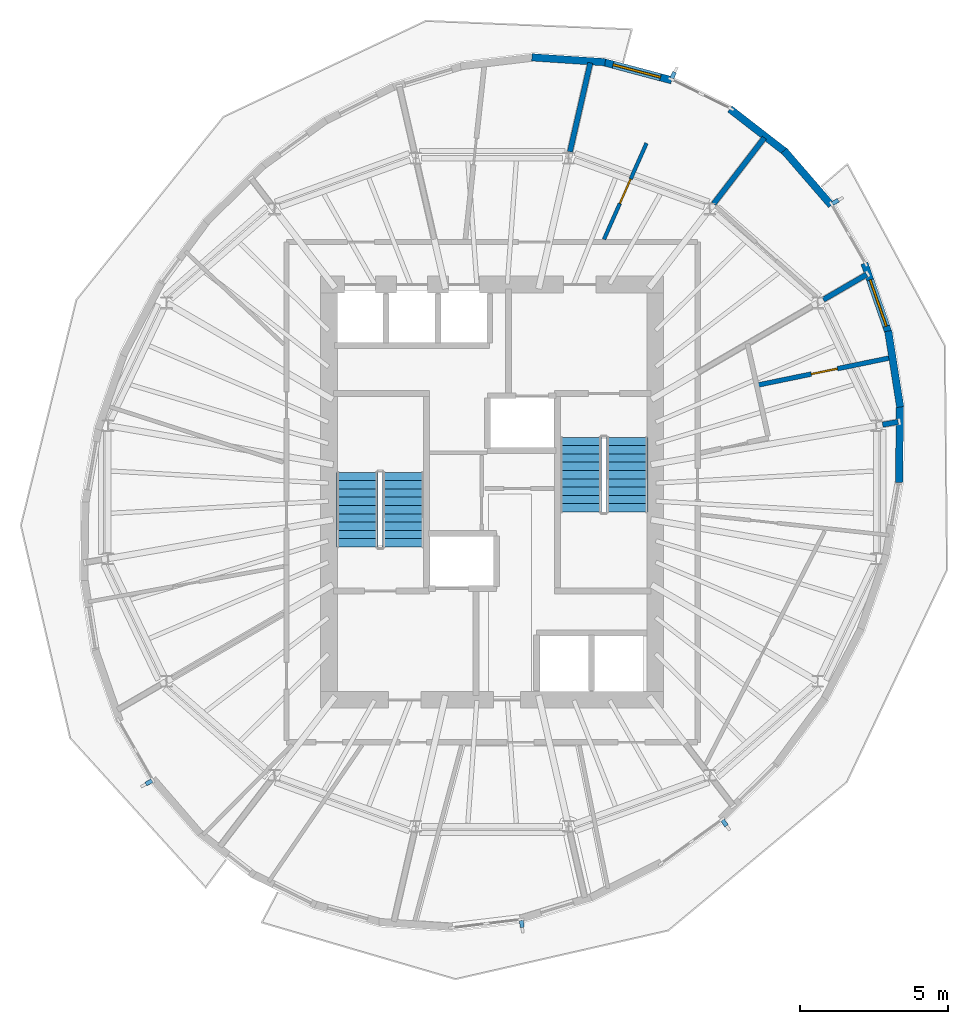
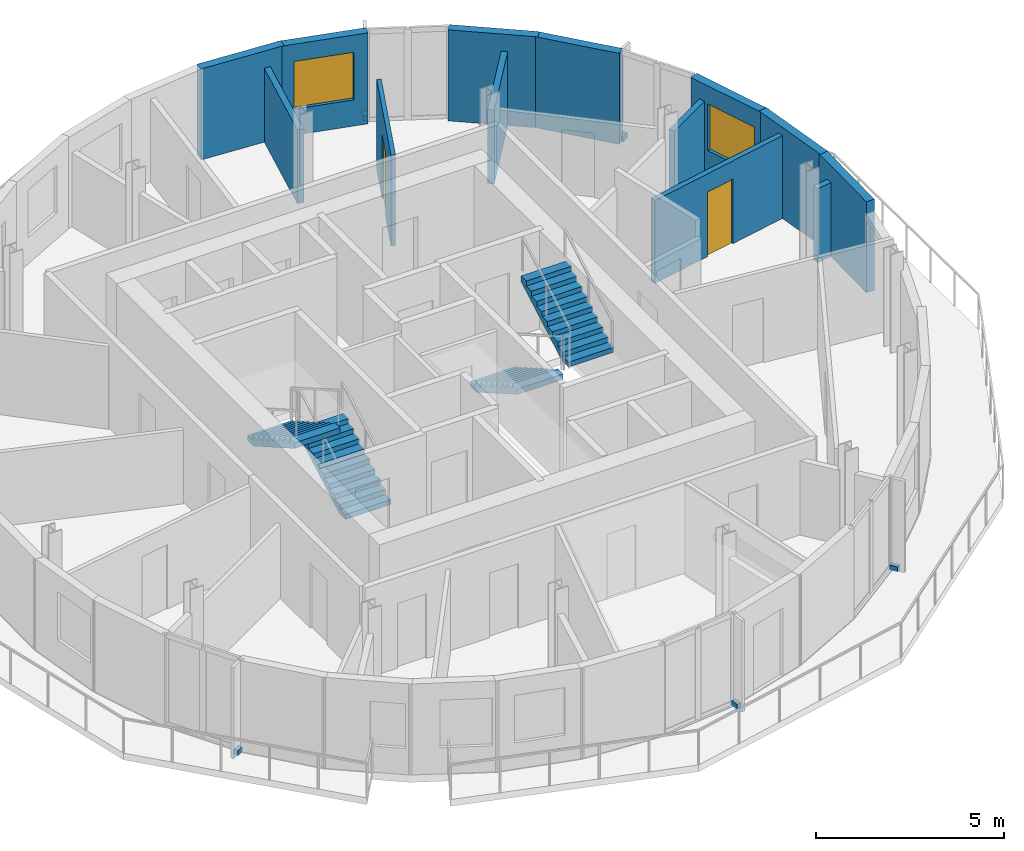
# One storey, part 7 of 9: 13 walls, 5 discrete accessories, 4 stair flights, 2 doors, 2 windows, 4 openings, 2 elements without a shape of their own.
"""IFC4 building model written with IfcOpenShell, lengths in metres."""

from ifc_helpers import new_model, si_unit, direction, frame, frame_2d, origin, origin_2d, place, context, subcontext, project, spatial, polyline, rectangle, outline, extrude, material, layer, layer_set, type_object, element, fill, aggregate, save


model = new_model("IFC4")

# Units and contexts
model_context = context("Model", 3, precision=1e-05, world=origin(), true_north=direction((0.0, 1.0)))
body_context = subcontext(model_context, "Body", "Model", "MODEL_VIEW")
ifc_project = project(units=[si_unit("LENGTHUNIT", "METRE"), si_unit("AREAUNIT", "SQUARE_METRE"), si_unit("VOLUMEUNIT", "CUBIC_METRE"), si_unit("PLANEANGLEUNIT", "RADIAN"), si_unit("MASSUNIT", "GRAM", prefix="KILO")], contexts=[model_context])

# Site, building, storey
site_placement = place(None, origin())
site = spatial("IfcSite", under=ifc_project, at=site_placement, CompositionType="ELEMENT")
building_placement = place(site_placement, origin())
building = spatial("IfcBuilding", under=site, at=building_placement, Name="Veldorim Arch Residences", CompositionType="ELEMENT")
storey_placement = place(building_placement, frame((0.0, 0.0, 233.43994140625)))
storey = spatial("IfcBuildingStorey", under=building, at=storey_placement, Name="L70", CompositionType="ELEMENT", Elevation=233.43994140625)

# Wall, opening, door
ifc_material_1 = material(Name="Acoustic Gypsum Board", Category="gypsum")
ifc_layer_1 = layer(ifc_material_1, 0.125, Name="Acoustic Stud Room Partition Wall 125")
ifc_layer_set_1 = layer_set([ifc_layer_1], Name="Acoustic Gypsum Board")
wall_type_1 = type_object("IfcWallType", Name="Acoustic Stud Room Partition Wall 125", PredefinedType="PARTITIONING", material=ifc_layer_set_1)
wall_1_placement = place(storey_placement, frame((37.2041015625, 35.761474609375, 0.0), z_axis=(0.0, 0.0, 1.0), x_axis=(-0.404629035619, -0.9144809148, 0.0)))
wall_1 = element("IfcWall", 1, at=wall_1_placement, inside=storey, type_object=wall_type_1, Name="L70 interior wall WL-RES-L70-019", PredefinedType="PARTITIONING", context=body_context, shape_type="SweptSolid", body=[
    extrude(rectangle(XDim=3.54296875, YDim=0.125, at=frame_2d((1.771484375, 0.0))), origin(), (0.0, 0.0, 1.0), 2.955078125),
])
opening_1_placement = place(wall_1_placement, frame((1.321533203125, 0.0, 0.0)))
opening_1 = element("IfcOpeningElement", 2, at=opening_1_placement, cuts=wall_1, Name="Opening DR-INT", PredefinedType="OPENING", context=body_context, shape_type="SweptSolid", body=[
    extrude(rectangle(XDim=0.89990234375, YDim=2.10009765625, at=frame_2d((0.449951171875, 1.050048828125))), frame((0.0, 0.072509765625, 0.0), z_axis=(0.0, -1.0, 0.0), x_axis=(1.0, 0.0, 0.0)), (0.0, 0.0, 1.0), 0.14501953125),
])
ifc_material_2 = material(Name="Engineered Timber", Category="wood")
door_type_1 = type_object("IfcDoorType", Name="Apartment Internal Room Timber Door 900x2100", OperationType="SINGLE_SWING_LEFT", PredefinedType="DOOR", material=ifc_material_2)
door_1_placement = place(opening_1_placement, origin())
door_1 = element("IfcDoor", 3, at=door_1_placement, inside=storey, type_object=door_type_1, Name="L70 interior door DR-RES-L70-013", OperationType="SINGLE_SWING_LEFT", OverallHeight=2.10009765625, OverallWidth=0.89990234375, PredefinedType="DOOR", context=body_context, shape_type="SweptSolid", body=[
    extrude(rectangle(XDim=0.89990234375, YDim=2.10009765625, at=frame_2d((0.449951171875, 1.050048828125))), frame((0.0, 0.02490234375, 0.0), z_axis=(0.0, -1.0, 0.0), x_axis=(1.0, 0.0, 0.0)), (0.0, 0.0, 1.0), 0.050048828125),
])
fill(opening_1, door_1)

# Walls
ifc_material_3 = material(Name="Lightweight Masonry Block & Gypsum", Category="masonry")
ifc_layer_2 = layer(ifc_material_3, 0.179931640625, Name="Compartment & Corridor Fire-Rated Party Wall 180")
ifc_layer_set_2 = layer_set([ifc_layer_2], Name="Lightweight Masonry Block & Gypsum")
wall_type_2 = type_object("IfcWallType", Name="Compartment & Corridor Fire-Rated Party Wall 180", PredefinedType="PARTITIONING", material=ifc_layer_set_2)
wall_2_placement = place(storey_placement, frame((45.16259765625, 26.277099609375, 0.0), z_axis=(0.0, 0.0, 1.0), x_axis=(0.985396448878, 0.170275772023, 0.0)))
element("IfcWall", 4, at=wall_2_placement, inside=storey, type_object=wall_type_2, Name="L70 interior wall WL-PIER-L70-01", PredefinedType="PARTITIONING", context=body_context, shape_type="SweptSolid", body=[
    extrude(rectangle(XDim=0.531982421875, YDim=0.179931640625, at=frame_2d((0.26611328125, 0.0))), origin(), (0.0, 0.0, 1.0), 2.403564453125),
])
wall_3_placement = place(storey_placement, frame((43.165283203125, 30.48828125, 0.0), z_axis=(0.0, 0.0, 1.0), x_axis=(0.864596354204, 0.502467057923, 0.0)))
element("IfcWall", 5, at=wall_3_placement, inside=storey, type_object=wall_type_2, Name="L70 interior wall WL-PIER-L70-02", PredefinedType="PARTITIONING", context=body_context, shape_type="SweptSolid", body=[
    extrude(rectangle(XDim=1.6875, YDim=0.179931640625, at=frame_2d((0.84375, 0.0))), origin(), (0.0, 0.0, 1.0), 2.403564453125),
])
wall_4_placement = place(storey_placement, frame((39.46728515625, 33.719482421875, 0.0), z_axis=(0.0, 0.0, 1.0), x_axis=(0.609243973043, 0.792982837967, 0.0)))
element("IfcWall", 6, at=wall_4_placement, inside=storey, type_object=wall_type_2, Name="L70 interior wall WL-PIER-L70-03", PredefinedType="PARTITIONING", context=body_context, shape_type="SweptSolid", body=[
    extrude(rectangle(XDim=2.806396484375, YDim=0.179931640625, at=frame_2d((1.4033203125, 0.0))), origin(), (0.0, 0.0, 1.0), 2.403564453125),
])
wall_5_placement = place(storey_placement, frame((34.6240234375, 35.473388671875, 0.0), z_axis=(0.0, 0.0, 1.0), x_axis=(0.223020975075, 0.974813646128, 0.0)))
element("IfcWall", 7, at=wall_5_placement, inside=storey, type_object=wall_type_2, Name="L70 interior wall WL-PIER-L70-04", PredefinedType="PARTITIONING", context=body_context, shape_type="SweptSolid", body=[
    extrude(rectangle(XDim=3.074951171875, YDim=0.179931640625, at=frame_2d((1.53759765625, 0.0))), origin(), (0.0, 0.0, 1.0), 2.403564453125),
])

# Wall, opening, window
ifc_material_4 = material(Name="Precast concrete C40/50", Category="concrete")
ifc_layer_3 = layer(ifc_material_4, 0.25, Name="Tower Terracotta Spandrel & Pier Wall 250")
ifc_layer_set_3 = layer_set([ifc_layer_3], Name="Precast concrete C40/50")
wall_type_3 = type_object("IfcWallType", Name="Tower Terracotta Spandrel & Pier Wall 250", PredefinedType="SOLIDWALL", material=ifc_layer_set_3)
wall_6_placement = place(storey_placement, frame((35.69970703125, 38.510986328125, 0.0), z_axis=(0.0, 0.0, 1.0), x_axis=(0.96631636381, -0.257357115761, 0.0)))
wall_6 = element("IfcWall", 8, at=wall_6_placement, inside=storey, type_object=wall_type_3, Name="L70 terracotta facade wall 02", PredefinedType="SOLIDWALL", context=body_context, shape_type="SweptSolid", body=[
    extrude(rectangle(XDim=2.43701171875, YDim=0.25, at=frame_2d((1.218505859375, 0.0))), origin(), (0.0, 0.0, 1.0), 2.9599609375),
])
opening_2_placement = place(wall_6_placement, frame((0.39306640625, 0.0, 0.85009765625)))
opening_2 = element("IfcOpeningElement", 9, at=opening_2_placement, cuts=wall_6, Name="Opening WN-03", PredefinedType="OPENING", context=body_context, shape_type="SweptSolid", body=[
    extrude(rectangle(XDim=1.64990234375, YDim=1.550048828125, at=frame_2d((0.824951171875, 0.77490234375))), frame((0.0, 0.135009765625, 0.0), z_axis=(0.0, -1.0, 0.0), x_axis=(1.0, 0.0, 0.0)), (0.0, 0.0, 1.0), 0.27001953125),
])
ifc_material_5 = material(Name="Laminated Low-E Glass", Category="glass")
window_type = type_object("IfcWindowType", Name="Residential Wide Window 1650x1550", PartitioningType="SINGLE_PANEL", PredefinedType="WINDOW", material=ifc_material_5)
window_1_placement = place(opening_2_placement, origin())
window_1 = element("IfcWindow", 10, at=window_1_placement, inside=storey, type_object=window_type, Name="L70 solar-control facade window 02", OverallHeight=1.550048828125, OverallWidth=1.64990234375, PartitioningType="SINGLE_PANEL", PredefinedType="WINDOW", context=body_context, shape_type="SweptSolid", body=[
    extrude(rectangle(XDim=1.64990234375, YDim=1.550048828125, at=frame_2d((0.824951171875, 0.77490234375))), frame((0.0, 0.030029296875, 0.0), z_axis=(0.0, -1.0, 0.0), x_axis=(1.0, 0.0, 0.0)), (0.0, 0.0, 1.0), 0.06005859375),
])
fill(opening_2, window_1)

# Walls
wall_7_placement = place(storey_placement, frame((33.339599609375, 38.658203125, 0.0), z_axis=(0.0, 0.0, 1.0), x_axis=(0.997759800667, -0.06689828228, 0.0)))
element("IfcWall", 11, at=wall_7_placement, inside=storey, type_object=wall_type_3, Name="L70 terracotta facade wall 03", PredefinedType="SOLIDWALL", context=body_context, shape_type="SweptSolid", body=[
    extrude(rectangle(XDim=2.47802734375, YDim=0.25, at=frame_2d((1.239013671875, 0.0))), origin(), (0.0, 0.0, 1.0), 2.9599609375),
])
wall_8_placement = place(storey_placement, frame((45.749267578125, 26.980712890625, 0.0), z_axis=(0.0, 0.0, 1.0), x_axis=(-0.01234132771, -0.999923842915, 0.0)))
element("IfcWall", 12, at=wall_8_placement, inside=storey, type_object=wall_type_3, Name="L70 terracotta facade wall 31", PredefinedType="SOLIDWALL", context=body_context, shape_type="SweptSolid", body=[
    extrude(rectangle(XDim=2.65087890625, YDim=0.25, at=frame_2d((1.325439453125, 0.0))), origin(), (0.0, 0.0, 1.0), 2.9599609375),
])
wall_9_placement = place(storey_placement, frame((45.353271484375, 29.430908203125, 0.0), z_axis=(0.0, 0.0, 1.0), x_axis=(0.155778786526, -0.987791966797, 0.0)))
element("IfcWall", 13, at=wall_9_placement, inside=storey, type_object=wall_type_3, Name="L70 terracotta facade wall 32", PredefinedType="SOLIDWALL", context=body_context, shape_type="SweptSolid", body=[
    extrude(rectangle(XDim=2.59228515625, YDim=0.25, at=frame_2d((1.296142578125, 0.0))), origin(), (0.0, 0.0, 1.0), 2.9599609375),
])

# Wall, opening, window
wall_10_placement = place(storey_placement, frame((44.55126953125, 31.715087890625, 0.0), z_axis=(0.0, 0.0, 1.0), x_axis=(0.327428450427, -0.944875975909, 0.0)))
wall_10 = element("IfcWall", 14, at=wall_10_placement, inside=storey, type_object=wall_type_3, Name="L70 terracotta facade wall 33", PredefinedType="SOLIDWALL", context=body_context, shape_type="SweptSolid", body=[
    extrude(rectangle(XDim=2.5322265625, YDim=0.25, at=frame_2d((1.26611328125, 0.0))), origin(), (0.0, 0.0, 1.0), 2.9599609375),
])
opening_3_placement = place(wall_10_placement, frame((0.593017578125, 0.0, 0.85009765625)))
opening_3 = element("IfcOpeningElement", 15, at=opening_3_placement, cuts=wall_10, Name="Opening WN-03", PredefinedType="OPENING", context=body_context, shape_type="SweptSolid", body=[
    extrude(rectangle(XDim=1.64990234375, YDim=1.52001953125, at=frame_2d((0.824951171875, 0.760009765625))), frame((0.0, 0.135009765625, 0.0), z_axis=(0.0, -1.0, 0.0), x_axis=(1.0, 0.0, 0.0)), (0.0, 0.0, 1.0), 0.27001953125),
])
window_2_placement = place(opening_3_placement, origin())
window_2 = element("IfcWindow", 16, at=window_2_placement, inside=storey, type_object=window_type, Name="L70 solar-control facade window 33", OverallHeight=1.52001953125, OverallWidth=1.64990234375, PartitioningType="SINGLE_PANEL", PredefinedType="WINDOW", context=body_context, shape_type="SweptSolid", body=[
    extrude(rectangle(XDim=1.64990234375, YDim=1.52001953125, at=frame_2d((0.824951171875, 0.760009765625))), frame((0.0, 0.030029296875, 0.0), z_axis=(0.0, -1.0, 0.0), x_axis=(1.0, 0.0, 0.0)), (0.0, 0.0, 1.0), 0.06005859375),
])
fill(opening_3, window_2)

# Walls
wall_11_placement = place(storey_placement, frame((41.840576171875, 35.514404296875, 0.0), z_axis=(0.0, 0.0, 1.0), x_axis=(0.653838956375, -0.756633741732, 0.0)))
element("IfcWall", 17, at=wall_11_placement, inside=storey, type_object=wall_type_3, Name="L70 terracotta facade wall 35", PredefinedType="SOLIDWALL", context=body_context, shape_type="SweptSolid", body=[
    extrude(rectangle(XDim=2.436767578125, YDim=0.25, at=frame_2d((1.21826171875, 0.0))), origin(), (0.0, 0.0, 1.0), 2.9599609375),
])
wall_12_placement = place(storey_placement, frame((40.01513671875, 36.915283203125, 0.0), z_axis=(0.0, 0.0, 1.0), x_axis=(0.790325704793, -0.612686935019, 0.0)))
element("IfcWall", 18, at=wall_12_placement, inside=storey, type_object=wall_type_3, Name="L70 terracotta facade wall 36", PredefinedType="SOLIDWALL", context=body_context, shape_type="SweptSolid", body=[
    extrude(rectangle(XDim=2.414794921875, YDim=0.25, at=frame_2d((1.20751953125, 0.0))), origin(), (0.0, 0.0, 1.0), 2.9599609375),
])

# Wall, opening, door
ifc_material_6 = material(Name="Moisture-Resistant Gypsum & Stud", Category="gypsum")
ifc_layer_4 = layer(ifc_material_6, 0.159912109375, Name="Wet-Area Moisture-Resistant Plumbing Wall 160")
ifc_layer_set_4 = layer_set([ifc_layer_4], Name="Moisture-Resistant Gypsum & Stud")
wall_type_4 = type_object("IfcWallType", Name="Wet-Area Moisture-Resistant Plumbing Wall 160", PredefinedType="PLUMBINGWALL", material=ifc_layer_set_4)
wall_13_placement = place(storey_placement, frame((40.918212890625, 27.6025390625, 0.0), z_axis=(0.0, 0.0, 1.0), x_axis=(0.979505450232, 0.20141765803, 0.0)))
wall_13 = element("IfcWall", 19, at=wall_13_placement, inside=storey, type_object=wall_type_4, Name="L70 interior wall WL-RES-L70-012", PredefinedType="PLUMBINGWALL", context=body_context, shape_type="SweptSolid", body=[
    extrude(rectangle(XDim=4.65576171875, YDim=0.159912109375, at=frame_2d((2.327880859375, 0.0))), origin(), (0.0, 0.0, 1.0), 2.692138671875),
])
opening_4_placement = place(wall_13_placement, frame((1.8779296875, 0.0, 0.0)))
opening_4 = element("IfcOpeningElement", 20, at=opening_4_placement, cuts=wall_13, Name="Opening DR-WC", PredefinedType="OPENING", context=body_context, shape_type="SweptSolid", body=[
    extrude(rectangle(XDim=0.89990234375, YDim=2.10009765625, at=frame_2d((0.449951171875, 1.050048828125))), frame((0.0, 0.08984375, 0.0), z_axis=(0.0, -1.0, 0.0), x_axis=(1.0, 0.0, 0.0)), (0.0, 0.0, 1.0), 0.179931640625),
])
ifc_material_7 = material(Name="Laminate Timber", Category="wood")
door_type_2 = type_object("IfcDoorType", Name="Bathroom & Accessible WC Moisture-Sealed Door 900x2100", OperationType="SINGLE_SWING_LEFT", PredefinedType="DOOR", material=ifc_material_7)
door_2_placement = place(opening_4_placement, origin())
door_2 = element("IfcDoor", 21, at=door_2_placement, inside=storey, type_object=door_type_2, Name="L70 interior door DR-RES-L70-007", OperationType="SINGLE_SWING_LEFT", OverallHeight=2.10009765625, OverallWidth=0.89990234375, PredefinedType="DOOR", context=body_context, shape_type="SweptSolid", body=[
    extrude(rectangle(XDim=0.89990234375, YDim=2.10009765625, at=frame_2d((0.449951171875, 1.050048828125))), frame((0.0, 0.02490234375, 0.0), z_axis=(0.0, -1.0, 0.0), x_axis=(1.0, 0.0, 0.0)), (0.0, 0.0, 1.0), 0.050048828125),
])
fill(opening_4, door_2)

# Stair, stair flights
ifc_material_8 = material(Name="Concrete C40/50", Category="concrete")
stair_type = type_object("IfcStairType", Name="Reinforced Concrete Dogleg Exit Staircase", PredefinedType="HALF_TURN_STAIR", material=ifc_material_8)
stair_1_placement = place(storey_placement, origin())
stair_1 = element("IfcStair", 22, at=stair_1_placement, inside=storey, type_object=stair_type, Name="L70 Exit Staircase ST-1", PredefinedType="HALF_TURN_STAIR")
ifc_material_9 = material(Name="Concrete C40/50", Category="concrete")
stair_flight_type = type_object("IfcStairFlightType", Name="Reinforced Concrete Stair Flight 1400", PredefinedType="STRAIGHT", material=ifc_material_9)
stair_flight_1_placement = place(storey_placement, frame((29.010009765625, 22.14990234375, 0.0), z_axis=(0.0, 0.0, 1.0), x_axis=(0.0, 1.0, 0.0)))
stair_flight_1 = element("IfcStairFlight", 23, at=stair_flight_1_placement, type_object=stair_flight_type, Name="ST-1 flight 1", NumberOfRisers=10, NumberOfTreads=9, PredefinedType="STRAIGHT", RiserHeight=0.16, TreadLength=0.28, context=body_context, shape_type="SweptSolid", body=[
    extrude(outline(polyline([(0.0, 0.0), (0.0, 0.159912109375), (0.280029296875, 0.159912109375), (0.280029296875, 0.320068359375), (0.56005859375, 0.320068359375), (0.56005859375, 0.47998046875), (0.840087890625, 0.47998046875), (0.840087890625, 0.639892578125), (1.1201171875, 0.639892578125), (1.1201171875, 0.800048828125), (1.39990234375, 0.800048828125), (1.39990234375, 0.9599609375), (1.679931640625, 0.9599609375), (1.679931640625, 1.1201171875), (1.9599609375, 1.1201171875), (1.9599609375, 1.280029296875), (2.239990234375, 1.280029296875), (2.239990234375, 1.43994140625), (2.52001953125, 1.43994140625), (2.52001953125, 1.60009765625), (2.52001953125, 1.255859375), (0.322265625, 0.0), (0.0, 0.0)])), frame((0.0, 0.699951171875, 0.0), z_axis=(0.0, -1.0, 0.0), x_axis=(1.0, 0.0, 0.0)), (0.0, 0.0, 1.0), 1.39990234375),
])
stair_flight_2_placement = place(storey_placement, frame((27.449951171875, 24.669921875, 1.60009765625), z_axis=(0.0, 0.0, 1.0), x_axis=(0.0, -1.0, 0.0)))
stair_flight_2 = element("IfcStairFlight", 24, at=stair_flight_2_placement, type_object=stair_flight_type, Name="ST-1 flight 2", NumberOfRisers=10, NumberOfTreads=9, PredefinedType="STRAIGHT", RiserHeight=0.16, TreadLength=0.28, context=body_context, shape_type="SweptSolid", body=[
    extrude(outline(polyline([(0.0, 0.0), (0.0, 0.159912109375), (0.280029296875, 0.159912109375), (0.280029296875, 0.320068359375), (0.56005859375, 0.320068359375), (0.56005859375, 0.47998046875), (0.840087890625, 0.47998046875), (0.840087890625, 0.639892578125), (1.1201171875, 0.639892578125), (1.1201171875, 0.800048828125), (1.39990234375, 0.800048828125), (1.39990234375, 0.9599609375), (1.679931640625, 0.9599609375), (1.679931640625, 1.1201171875), (1.9599609375, 1.1201171875), (1.9599609375, 1.280029296875), (2.239990234375, 1.280029296875), (2.239990234375, 1.43994140625), (2.52001953125, 1.43994140625), (2.52001953125, 1.60009765625), (2.52001953125, 1.255859375), (0.322265625, 0.0), (0.0, 0.0)])), frame((0.0, 0.699951171875, 0.0), z_axis=(0.0, -1.0, 0.0), x_axis=(1.0, 0.0, 0.0)), (0.0, 0.0, 1.0), 1.39990234375),
])
aggregate(stair_1, [stair_flight_1, stair_flight_2])

stair_2_placement = place(storey_placement, origin())
stair_2 = element("IfcStair", 25, at=stair_2_placement, inside=storey, type_object=stair_type, Name="L70 Exit Staircase ST-2", PredefinedType="HALF_TURN_STAIR")
stair_flight_3_placement = place(storey_placement, frame((34.989990234375, 25.85009765625, 0.0), z_axis=(0.0, 0.0, 1.0), x_axis=(0.0, -1.0, 0.0)))
stair_flight_3 = element("IfcStairFlight", 26, at=stair_flight_3_placement, type_object=stair_flight_type, Name="ST-2 flight 1", NumberOfRisers=10, NumberOfTreads=9, PredefinedType="STRAIGHT", RiserHeight=0.16, TreadLength=0.28, context=body_context, shape_type="SweptSolid", body=[
    extrude(outline(polyline([(0.0, 0.0), (0.0, 0.159912109375), (0.280029296875, 0.159912109375), (0.280029296875, 0.320068359375), (0.56005859375, 0.320068359375), (0.56005859375, 0.47998046875), (0.840087890625, 0.47998046875), (0.840087890625, 0.639892578125), (1.1201171875, 0.639892578125), (1.1201171875, 0.800048828125), (1.39990234375, 0.800048828125), (1.39990234375, 0.9599609375), (1.679931640625, 0.9599609375), (1.679931640625, 1.1201171875), (1.9599609375, 1.1201171875), (1.9599609375, 1.280029296875), (2.239990234375, 1.280029296875), (2.239990234375, 1.43994140625), (2.52001953125, 1.43994140625), (2.52001953125, 1.60009765625), (2.52001953125, 1.255859375), (0.322265625, 0.0), (0.0, 0.0)])), frame((0.0, 0.699951171875, 0.0), z_axis=(0.0, -1.0, 0.0), x_axis=(1.0, 0.0, 0.0)), (0.0, 0.0, 1.0), 1.39990234375),
])
stair_flight_4_placement = place(storey_placement, frame((36.550048828125, 23.330078125, 1.60009765625), z_axis=(0.0, 0.0, 1.0), x_axis=(0.0, 1.0, 0.0)))
stair_flight_4 = element("IfcStairFlight", 27, at=stair_flight_4_placement, type_object=stair_flight_type, Name="ST-2 flight 2", NumberOfRisers=10, NumberOfTreads=9, PredefinedType="STRAIGHT", RiserHeight=0.16, TreadLength=0.28, context=body_context, shape_type="SweptSolid", body=[
    extrude(outline(polyline([(0.0, 0.0), (0.0, 0.159912109375), (0.280029296875, 0.159912109375), (0.280029296875, 0.320068359375), (0.56005859375, 0.320068359375), (0.56005859375, 0.47998046875), (0.840087890625, 0.47998046875), (0.840087890625, 0.639892578125), (1.1201171875, 0.639892578125), (1.1201171875, 0.800048828125), (1.39990234375, 0.800048828125), (1.39990234375, 0.9599609375), (1.679931640625, 0.9599609375), (1.679931640625, 1.1201171875), (1.9599609375, 1.1201171875), (1.9599609375, 1.280029296875), (2.239990234375, 1.280029296875), (2.239990234375, 1.43994140625), (2.52001953125, 1.43994140625), (2.52001953125, 1.60009765625), (2.52001953125, 1.255859375), (0.322265625, 0.0), (0.0, 0.0)])), frame((0.0, 0.699951171875, 0.0), z_axis=(0.0, -1.0, 0.0), x_axis=(1.0, 0.0, 0.0)), (0.0, 0.0, 1.0), 1.39990234375),
])
aggregate(stair_2, [stair_flight_3, stair_flight_4])

# Discrete accessories
ifc_material_10 = material(Name="Stainless Steel", Category="steel")
discrete_accessory_type = type_object("IfcDiscreteAccessoryType", Name="Stainless Steel Facade Fin Anchor Bracket", PredefinedType="BRACKET", material=ifc_material_10)
for number, where, z_axis, x_axis, name in (
    (28, (38.102294921875, 38.051025390625, -0.02001953125), (0.0, 0.0, 1.0), (0.89656374724, -0.442914717678, 0.0), "L70 stainless fin anchor bracket 01"),
    (29, (20.432373046875, 14.2177734375, -0.02001953125), (0.0, 0.0, 1.0), (-0.496216503675, 0.868198814489, 0.0), "L70 stainless fin anchor bracket 16"),
    (30, (33.001220703125, 9.447998046875, -0.02001953125), (0.0, 0.0, 1.0), (-0.992944827592, -0.118577271677, 0.0), "L70 stainless fin anchor bracket 22"),
    (31, (39.833740234375, 12.849609375, -0.02001953125), (0.0, 0.0, 1.0), (-0.81014396939, -0.586230968869, 0.0), "L70 stainless fin anchor bracket 25"),
    (32, (43.567626953125, 33.7822265625, -0.02001953125), (0.0, 0.0, 1.0), (0.496216503675, -0.868198814489, 0.0), "L70 stainless fin anchor bracket 34"),
):
    element("IfcDiscreteAccessory", number, at=place(storey_placement, frame(where, z_axis=z_axis, x_axis=x_axis)), inside=storey, type_object=discrete_accessory_type, Name=name, PredefinedType="BRACKET", context=body_context, shape_type="SweptSolid", body=[
        extrude(rectangle(XDim=0.139892578125, YDim=0.239990234375, at=origin_2d()), origin(), (0.0, 0.0, 1.0), 0.159912109375),
    ])

save(model, "model.ifc")
